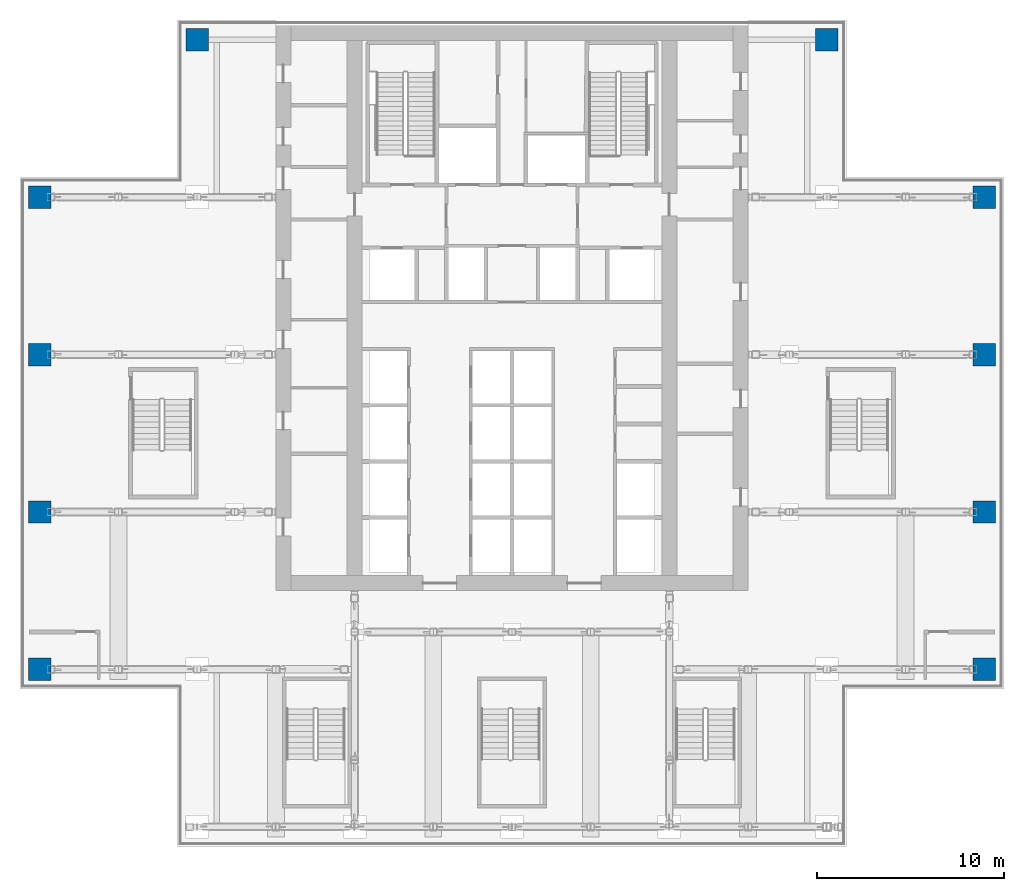
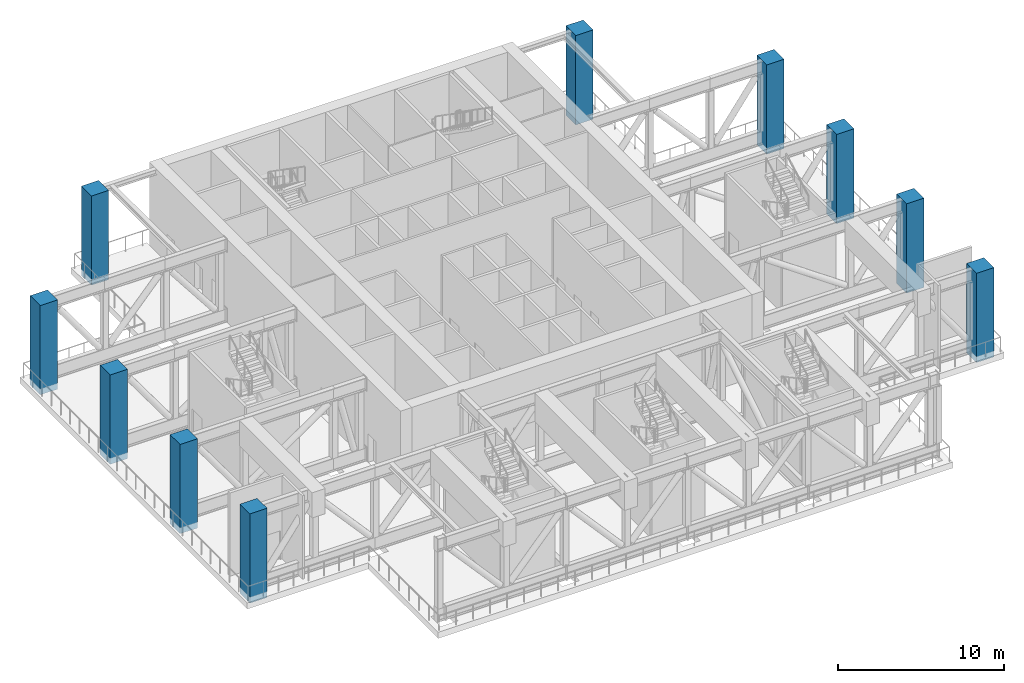
# One storey, part 1 of 23: 10 columns.
"""IFC4 building model written with IfcOpenShell, lengths in metres."""

from ifc_helpers import new_model, si_unit, direction, frame, origin, origin_2d, place, context, subcontext, project, spatial, rectangle, extrude, material, material_profile, profile_set, type_object, element, save


model = new_model("IFC4")

# Units and contexts
model_context = context("Model", 3, precision=1e-05, world=origin(), true_north=direction((0.0, 1.0)))
body_context = subcontext(model_context, "Body", "Model", "MODEL_VIEW")
ifc_project = project(units=[si_unit("LENGTHUNIT", "METRE"), si_unit("AREAUNIT", "SQUARE_METRE"), si_unit("VOLUMEUNIT", "CUBIC_METRE"), si_unit("PLANEANGLEUNIT", "RADIAN"), si_unit("MASSUNIT", "GRAM", prefix="KILO")], contexts=[model_context])

# Site, building, storey
site_placement = place(None, origin())
site = spatial("IfcSite", under=ifc_project, at=site_placement, CompositionType="ELEMENT")
building_placement = place(site_placement, origin())
building = spatial("IfcBuilding", under=site, at=building_placement, Name="Vermilion Ogive Tower", CompositionType="ELEMENT")
storey_placement = place(building_placement, frame((0.0, 0.0, 121.800048828125)))
storey = spatial("IfcBuildingStorey", under=building, at=storey_placement, Name="L31", CompositionType="ELEMENT", Elevation=121.800048828125)

# Columns
ifc_material = material(Name="Concrete B80", Category="concrete")
ifc_material_profile = material_profile(ifc_material, rectangle(XDim=1.199951171875, YDim=1.199951171875, at=origin_2d()), Name="1200 x 1200")
ifc_profile_set = profile_set([ifc_material_profile], Name="Concrete B80")
column_type = type_object("IfcColumnType", Name="Perimeter column 1200 x 1200 B80", PredefinedType="COLUMN", material=ifc_profile_set)
for number, where, z_axis, x_axis, name in (
    (1, (-25.199951171875, -12.60009765625, -0.449951171875), (0.0, 0.0, 1.0), (1.0, 0.0, 0.0), "COL-L31-P-0252-126"),
    (2, (25.199951171875, -12.60009765625, -0.449951171875), (0.0, 0.0, 1.0), (1.0, 0.0, 0.0), "COL-L31-P+0252-126"),
    (3, (-25.199951171875, -4.199951171875, -0.449951171875), (0.0, 0.0, 1.0), (1.0, 0.0, 0.0), "COL-L31-P-0252-042"),
    (4, (25.199951171875, -4.199951171875, -0.449951171875), (0.0, 0.0, 1.0), (1.0, 0.0, 0.0), "COL-L31-P+0252-042"),
    (5, (-25.199951171875, 4.199951171875, -0.449951171875), (0.0, 0.0, 1.0), (1.0, 0.0, 0.0), "COL-L31-P-0252+042"),
    (6, (25.199951171875, 4.199951171875, -0.449951171875), (0.0, 0.0, 1.0), (1.0, 0.0, 0.0), "COL-L31-P+0252+042"),
    (7, (-25.199951171875, 12.60009765625, -0.449951171875), (0.0, 0.0, 1.0), (1.0, 0.0, 0.0), "COL-L31-P-0252+126"),
    (8, (25.199951171875, 12.60009765625, -0.449951171875), (0.0, 0.0, 1.0), (1.0, 0.0, 0.0), "COL-L31-P+0252+126"),
    (9, (-16.800048828125, 21.0, -0.449951171875), (0.0, 0.0, 1.0), (1.0, 0.0, 0.0), "COL-L31-P-0168+210"),
    (10, (16.800048828125, 21.0, -0.449951171875), (0.0, 0.0, 1.0), (1.0, 0.0, 0.0), "COL-L31-P+0168+210"),
):
    element("IfcColumn", number, at=place(storey_placement, frame(where, z_axis=z_axis, x_axis=x_axis)), inside=storey, type_object=column_type, Name=name, PredefinedType="COLUMN", context=body_context, shape_type="SweptSolid", body=[
        extrude(rectangle(XDim=1.199951171875, YDim=1.199951171875, at=origin_2d()), origin(), (0.0, 0.0, 1.0), 6.5498046875),
    ])

save(model, "model.ifc")
